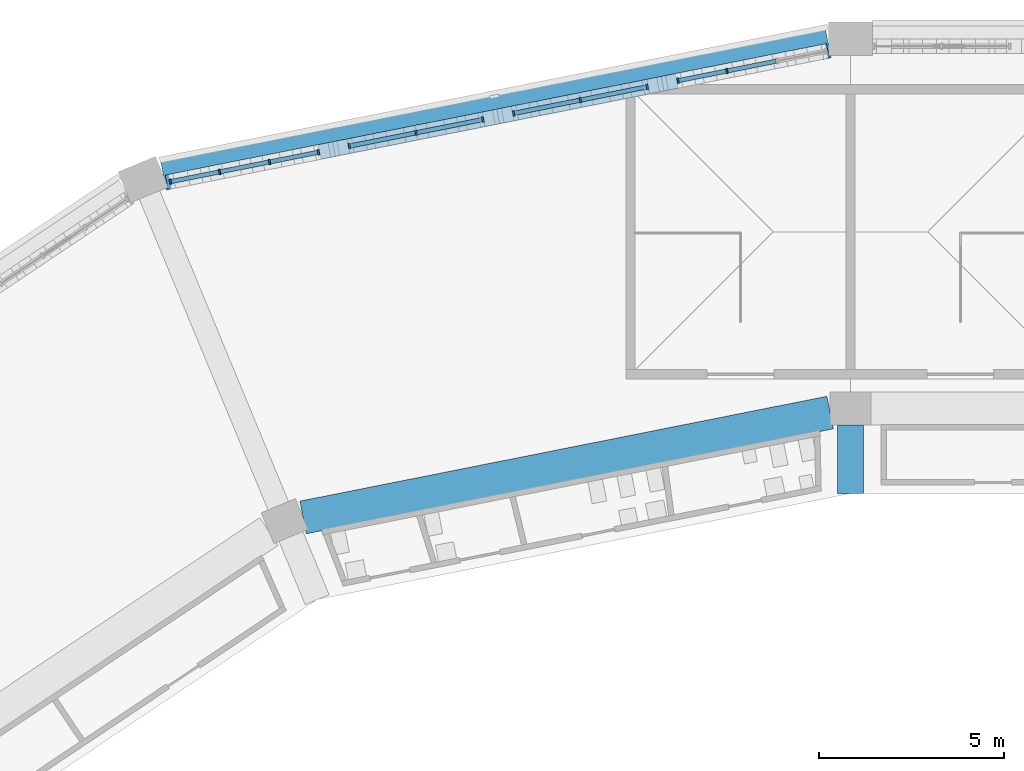
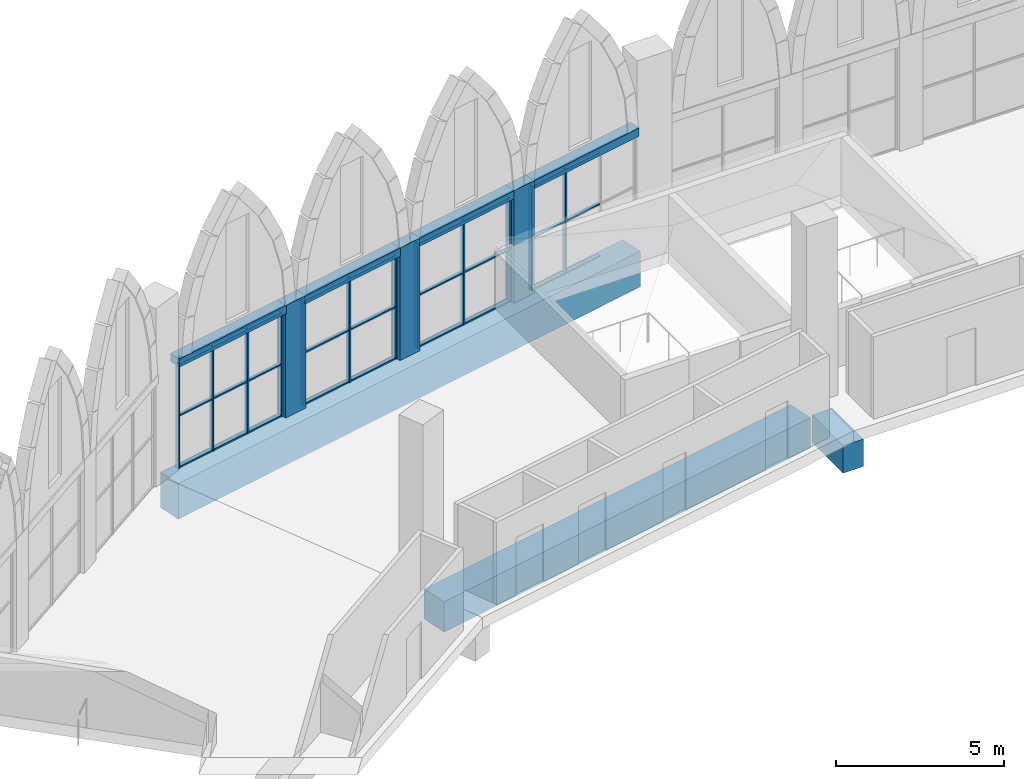
# One storey, part 34 of 130: 42 members, 7 beams, 4 elements without a shape of their own.
"""IFC4 building model written with IfcOpenShell, lengths in metres."""

from ifc_helpers import new_model, si_unit, direction, frame, origin, origin_2d, place, context, subcontext, project, spatial, rectangle, extrude, material, material_profile, profile_set, type_object, element, aggregate, save


model = new_model("IFC4")

# Units and contexts
model_context = context("Model", 3, precision=1e-05, world=origin(), true_north=direction((0.0, 1.0)))
body_context = subcontext(model_context, "Body", "Model", "MODEL_VIEW")
ifc_project = project(units=[si_unit("LENGTHUNIT", "METRE"), si_unit("AREAUNIT", "SQUARE_METRE"), si_unit("VOLUMEUNIT", "CUBIC_METRE"), si_unit("PLANEANGLEUNIT", "RADIAN"), si_unit("MASSUNIT", "GRAM", prefix="KILO")], contexts=[model_context])

# Site, building, storey
site_placement = place(None, origin())
site = spatial("IfcSite", under=ifc_project, at=site_placement, CompositionType="ELEMENT")
building_placement = place(site_placement, origin())
building = spatial("IfcBuilding", under=site, at=building_placement, Name="Ogive Plaza Stadium", CompositionType="ELEMENT")
storey_placement = place(building_placement, frame((0.0, 0.0, 22.5)))
storey = spatial("IfcBuildingStorey", under=building, at=storey_placement, Name="L05", CompositionType="ELEMENT", Elevation=22.5)

# Curtain wall, members
ifc_material_1 = material(Name="Bronze-anodised aluminium with laminated glass", Category="aluminium")
curtain_wall_type = type_object("IfcCurtainWallType", Name="Lancet curtain wall", PredefinedType="NOTDEFINED", material=ifc_material_1)
curtain_wall_1_placement = place(storey_placement, origin())
curtain_wall_1 = element("IfcCurtainWall", 1, at=curtain_wall_1_placement, inside=storey, type_object=curtain_wall_type, Name="CURTAIN WALL B31 L05", PredefinedType="NOTDEFINED")
ifc_material_2 = material(Name="Bronze-anodised aluminium", Category="aluminium")
ifc_material_profile_1 = material_profile(ifc_material_2, rectangle(XDim=0.14990234375, YDim=0.050048828125, at=origin_2d()), Name="AL 150x50")
ifc_profile_set_1 = profile_set([ifc_material_profile_1], Name="Bronze-anodised aluminium")
member_type_1 = type_object("IfcMemberType", Name="Curtain wall mullion 50x150", PredefinedType="MULLION", material=ifc_profile_set_1)
member_1_placement = place(storey_placement, frame((-52.392578125, 98.637451171875, 0.0), z_axis=(0.0, 0.0, 1.0), x_axis=(-0.195090322016, 0.980785280403, 0.0)))
member_1 = element("IfcMember", 2, at=member_1_placement, type_object=member_type_1, Name="CW-B31-L05.1 mullion 1", PredefinedType="MULLION", context=body_context, shape_type="SweptSolid", body=[
    extrude(rectangle(XDim=0.14990234375, YDim=0.050048828125, at=origin_2d()), origin(), (0.0, 0.0, 1.0), 3.800048828125),
])
member_2_placement = place(storey_placement, frame((-51.06640625, 98.9013671875, 0.0), z_axis=(0.0, 0.0, 1.0), x_axis=(-0.195090322016, 0.980785280403, 0.0)))
member_2 = element("IfcMember", 3, at=member_2_placement, type_object=member_type_1, Name="CW-B31-L05.1 mullion 2", PredefinedType="MULLION", context=body_context, shape_type="SweptSolid", body=[
    extrude(rectangle(XDim=0.14990234375, YDim=0.050048828125, at=origin_2d()), origin(), (0.0, 0.0, 1.0), 3.800048828125),
])
member_3_placement = place(storey_placement, frame((-49.715576171875, 99.170166015625, 0.0), z_axis=(0.0, 0.0, 1.0), x_axis=(-0.195090322016, 0.980785280403, 0.0)))
member_3 = element("IfcMember", 4, at=member_3_placement, type_object=member_type_1, Name="CW-B31-L05.1 mullion 3", PredefinedType="MULLION", context=body_context, shape_type="SweptSolid", body=[
    extrude(rectangle(XDim=0.14990234375, YDim=0.050048828125, at=origin_2d()), origin(), (0.0, 0.0, 1.0), 3.800048828125),
])
member_4_placement = place(storey_placement, frame((-48.389404296875, 99.433837890625, 0.0), z_axis=(0.0, 0.0, 1.0), x_axis=(-0.195090322016, 0.980785280403, 0.0)))
member_4 = element("IfcMember", 5, at=member_4_placement, type_object=member_type_1, Name="CW-B31-L05.1 mullion 4", PredefinedType="MULLION", context=body_context, shape_type="SweptSolid", body=[
    extrude(rectangle(XDim=0.14990234375, YDim=0.050048828125, at=origin_2d()), origin(), (0.0, 0.0, 1.0), 3.800048828125),
])

curtain_wall_2_placement = place(storey_placement, origin())
curtain_wall_2 = element("IfcCurtainWall", 6, at=curtain_wall_2_placement, inside=storey, type_object=curtain_wall_type, Name="CURTAIN WALL B31 L05", PredefinedType="NOTDEFINED")
member_5_placement = place(storey_placement, frame((-47.5556640625, 99.599609375, 0.0), z_axis=(0.0, 0.0, 1.0), x_axis=(-0.195090321948, 0.980785280417, 0.0)))
member_5 = element("IfcMember", 7, at=member_5_placement, type_object=member_type_1, Name="CW-B31-L05.2 mullion 1", PredefinedType="MULLION", context=body_context, shape_type="SweptSolid", body=[
    extrude(rectangle(XDim=0.14990234375, YDim=0.050048828125, at=origin_2d()), origin(), (0.0, 0.0, 1.0), 3.800048828125),
])
member_6_placement = place(storey_placement, frame((-45.750244140625, 99.958740234375, 0.0), z_axis=(0.0, 0.0, 1.0), x_axis=(-0.195090321948, 0.980785280417, 0.0)))
member_6 = element("IfcMember", 8, at=member_6_placement, type_object=member_type_1, Name="CW-B31-L05.2 mullion 2", PredefinedType="MULLION", context=body_context, shape_type="SweptSolid", body=[
    extrude(rectangle(XDim=0.14990234375, YDim=0.050048828125, at=origin_2d()), origin(), (0.0, 0.0, 1.0), 3.800048828125),
])
member_7_placement = place(storey_placement, frame((-43.94482421875, 100.31787109375, 0.0), z_axis=(0.0, 0.0, 1.0), x_axis=(-0.195090321948, 0.980785280417, 0.0)))
member_7 = element("IfcMember", 9, at=member_7_placement, type_object=member_type_1, Name="CW-B31-L05.2 mullion 3", PredefinedType="MULLION", context=body_context, shape_type="SweptSolid", body=[
    extrude(rectangle(XDim=0.14990234375, YDim=0.050048828125, at=origin_2d()), origin(), (0.0, 0.0, 1.0), 3.800048828125),
])

curtain_wall_3_placement = place(storey_placement, origin())
curtain_wall_3 = element("IfcCurtainWall", 10, at=curtain_wall_3_placement, inside=storey, type_object=curtain_wall_type, Name="CURTAIN WALL B31 L05", PredefinedType="NOTDEFINED")
member_8_placement = place(storey_placement, frame((-43.111328125, 100.483642578125, 0.0), z_axis=(0.0, 0.0, 1.0), x_axis=(-0.195090321948, 0.980785280417, 0.0)))
member_8 = element("IfcMember", 11, at=member_8_placement, type_object=member_type_1, Name="CW-B31-L05.3 mullion 1", PredefinedType="MULLION", context=body_context, shape_type="SweptSolid", body=[
    extrude(rectangle(XDim=0.14990234375, YDim=0.050048828125, at=origin_2d()), origin(), (0.0, 0.0, 1.0), 3.800048828125),
])
member_9_placement = place(storey_placement, frame((-41.305908203125, 100.8427734375, 0.0), z_axis=(0.0, 0.0, 1.0), x_axis=(-0.195090321948, 0.980785280417, 0.0)))
member_9 = element("IfcMember", 12, at=member_9_placement, type_object=member_type_1, Name="CW-B31-L05.3 mullion 2", PredefinedType="MULLION", context=body_context, shape_type="SweptSolid", body=[
    extrude(rectangle(XDim=0.14990234375, YDim=0.050048828125, at=origin_2d()), origin(), (0.0, 0.0, 1.0), 3.800048828125),
])
member_10_placement = place(storey_placement, frame((-39.50048828125, 101.201904296875, 0.0), z_axis=(0.0, 0.0, 1.0), x_axis=(-0.195090321948, 0.980785280417, 0.0)))
member_10 = element("IfcMember", 13, at=member_10_placement, type_object=member_type_1, Name="CW-B31-L05.3 mullion 3", PredefinedType="MULLION", context=body_context, shape_type="SweptSolid", body=[
    extrude(rectangle(XDim=0.14990234375, YDim=0.050048828125, at=origin_2d()), origin(), (0.0, 0.0, 1.0), 3.800048828125),
])

curtain_wall_4_placement = place(storey_placement, origin())
curtain_wall_4 = element("IfcCurtainWall", 14, at=curtain_wall_4_placement, inside=storey, type_object=curtain_wall_type, Name="CURTAIN WALL B31 L05", PredefinedType="NOTDEFINED")
member_11_placement = place(storey_placement, frame((-38.666748046875, 101.367919921875, 0.0), z_axis=(0.0, 0.0, 1.0), x_axis=(-0.195090322016, 0.980785280403, 0.0)))
member_11 = element("IfcMember", 15, at=member_11_placement, type_object=member_type_1, Name="CW-B31-L05.4 mullion 1", PredefinedType="MULLION", context=body_context, shape_type="SweptSolid", body=[
    extrude(rectangle(XDim=0.14990234375, YDim=0.050048828125, at=origin_2d()), origin(), (0.0, 0.0, 1.0), 3.800048828125),
])
member_12_placement = place(storey_placement, frame((-37.340576171875, 101.631591796875, 0.0), z_axis=(0.0, 0.0, 1.0), x_axis=(-0.195090322016, 0.980785280403, 0.0)))
member_12 = element("IfcMember", 16, at=member_12_placement, type_object=member_type_1, Name="CW-B31-L05.4 mullion 2", PredefinedType="MULLION", context=body_context, shape_type="SweptSolid", body=[
    extrude(rectangle(XDim=0.14990234375, YDim=0.050048828125, at=origin_2d()), origin(), (0.0, 0.0, 1.0), 3.800048828125),
])

# Member
ifc_material_3 = material(Name="Bronze-anodised aluminium", Category="aluminium")
ifc_material_profile_2 = material_profile(ifc_material_3, rectangle(XDim=0.1201171875, YDim=0.050048828125, at=origin_2d()), Name="AL 120x50")
ifc_profile_set_2 = profile_set([ifc_material_profile_2], Name="Bronze-anodised aluminium")
member_type_2 = type_object("IfcMemberType", Name="Curtain wall transom 50x120", PredefinedType="USERDEFINED", material=ifc_profile_set_2)
member_13_placement = place(storey_placement, frame((-52.3681640625, 98.642333984375, 0.02490234375), z_axis=(0.980774859472, 0.195142704264, 0.0), x_axis=(-0.195142704264, 0.980774859472, 0.0)))
member_13 = element("IfcMember", 17, at=member_13_placement, type_object=member_type_2, Name="CW-B31-L05.1 transom 1.1", ObjectType="TRANSOM", PredefinedType="USERDEFINED", context=body_context, shape_type="SweptSolid", body=[
    extrude(rectangle(XDim=0.1201171875, YDim=0.050048828125, at=origin_2d()), origin(), (0.0, 0.0, 1.0), 1.302490234375),
])

member_14_placement = place(storey_placement, frame((-52.3681640625, 98.642333984375, 1.89990234375), z_axis=(0.980774859472, 0.195142704264, 0.0), x_axis=(-0.195142704264, 0.980774859472, 0.0)))
member_14 = element("IfcMember", 18, at=member_14_placement, type_object=member_type_2, Name="CW-B31-L05.1 transom 1.2", ObjectType="TRANSOM", PredefinedType="USERDEFINED", context=body_context, shape_type="SweptSolid", body=[
    extrude(rectangle(XDim=0.1201171875, YDim=0.050048828125, at=origin_2d()), origin(), (0.0, 0.0, 1.0), 1.302490234375),
])

member_15_placement = place(storey_placement, frame((-52.3681640625, 98.642333984375, 3.77490234375), z_axis=(0.980774859472, 0.195142704264, 0.0), x_axis=(-0.195142704264, 0.980774859472, 0.0)))
member_15 = element("IfcMember", 19, at=member_15_placement, type_object=member_type_2, Name="CW-B31-L05.1 transom 1.3", ObjectType="TRANSOM", PredefinedType="USERDEFINED", context=body_context, shape_type="SweptSolid", body=[
    extrude(rectangle(XDim=0.1201171875, YDim=0.050048828125, at=origin_2d()), origin(), (0.0, 0.0, 1.0), 1.302490234375),
])

member_16_placement = place(storey_placement, frame((-51.041748046875, 98.90625, 0.02490234375), z_axis=(0.980764218012, 0.19519617995, 0.0), x_axis=(-0.19519617995, 0.980764218012, 0.0)))
member_16 = element("IfcMember", 20, at=member_16_placement, type_object=member_type_2, Name="CW-B31-L05.1 transom 2.1", ObjectType="TRANSOM", PredefinedType="USERDEFINED", context=body_context, shape_type="SweptSolid", body=[
    extrude(rectangle(XDim=0.1201171875, YDim=0.050048828125, at=origin_2d()), origin(), (0.0, 0.0, 1.0), 1.3271484375),
])

member_17_placement = place(storey_placement, frame((-51.041748046875, 98.90625, 1.89990234375), z_axis=(0.980764218012, 0.19519617995, 0.0), x_axis=(-0.19519617995, 0.980764218012, 0.0)))
member_17 = element("IfcMember", 21, at=member_17_placement, type_object=member_type_2, Name="CW-B31-L05.1 transom 2.2", ObjectType="TRANSOM", PredefinedType="USERDEFINED", context=body_context, shape_type="SweptSolid", body=[
    extrude(rectangle(XDim=0.1201171875, YDim=0.050048828125, at=origin_2d()), origin(), (0.0, 0.0, 1.0), 1.3271484375),
])

member_18_placement = place(storey_placement, frame((-51.041748046875, 98.90625, 3.77490234375), z_axis=(0.980764218012, 0.19519617995, 0.0), x_axis=(-0.19519617995, 0.980764218012, 0.0)))
member_18 = element("IfcMember", 22, at=member_18_placement, type_object=member_type_2, Name="CW-B31-L05.1 transom 2.3", ObjectType="TRANSOM", PredefinedType="USERDEFINED", context=body_context, shape_type="SweptSolid", body=[
    extrude(rectangle(XDim=0.1201171875, YDim=0.050048828125, at=origin_2d()), origin(), (0.0, 0.0, 1.0), 1.3271484375),
])

member_19_placement = place(storey_placement, frame((-49.691162109375, 99.1748046875, 0.02490234375), z_axis=(0.980767719015, 0.195178588319, 0.0), x_axis=(-0.195178588319, 0.980767719015, 0.0)))
member_19 = element("IfcMember", 23, at=member_19_placement, type_object=member_type_2, Name="CW-B31-L05.1 transom 3.1", ObjectType="TRANSOM", PredefinedType="USERDEFINED", context=body_context, shape_type="SweptSolid", body=[
    extrude(rectangle(XDim=0.1201171875, YDim=0.050048828125, at=origin_2d()), origin(), (0.0, 0.0, 1.0), 1.30224609375),
])

member_20_placement = place(storey_placement, frame((-49.691162109375, 99.1748046875, 1.89990234375), z_axis=(0.980767719015, 0.195178588319, 0.0), x_axis=(-0.195178588319, 0.980767719015, 0.0)))
member_20 = element("IfcMember", 24, at=member_20_placement, type_object=member_type_2, Name="CW-B31-L05.1 transom 3.2", ObjectType="TRANSOM", PredefinedType="USERDEFINED", context=body_context, shape_type="SweptSolid", body=[
    extrude(rectangle(XDim=0.1201171875, YDim=0.050048828125, at=origin_2d()), origin(), (0.0, 0.0, 1.0), 1.30224609375),
])

member_21_placement = place(storey_placement, frame((-49.691162109375, 99.1748046875, 3.77490234375), z_axis=(0.980767719015, 0.195178588319, 0.0), x_axis=(-0.195178588319, 0.980767719015, 0.0)))
member_21 = element("IfcMember", 25, at=member_21_placement, type_object=member_type_2, Name="CW-B31-L05.1 transom 3.3", ObjectType="TRANSOM", PredefinedType="USERDEFINED", context=body_context, shape_type="SweptSolid", body=[
    extrude(rectangle(XDim=0.1201171875, YDim=0.050048828125, at=origin_2d()), origin(), (0.0, 0.0, 1.0), 1.30224609375),
])

aggregate(curtain_wall_1, [member_1, member_2, member_3, member_4, member_13, member_14, member_15, member_16, member_17, member_18, member_19, member_20, member_21])

member_22_placement = place(storey_placement, frame((-47.53125, 99.6044921875, 0.02490234375), z_axis=(0.980784643133, 0.195093525761, 0.0), x_axis=(-0.195093525761, 0.980784643133, 0.0)))
member_22 = element("IfcMember", 26, at=member_22_placement, type_object=member_type_2, Name="CW-B31-L05.2 transom 1.1", ObjectType="TRANSOM", PredefinedType="USERDEFINED", context=body_context, shape_type="SweptSolid", body=[
    extrude(rectangle(XDim=0.1201171875, YDim=0.050048828125, at=origin_2d()), origin(), (0.0, 0.0, 1.0), 1.790771484375),
])

member_23_placement = place(storey_placement, frame((-47.53125, 99.6044921875, 1.89990234375), z_axis=(0.980784643133, 0.195093525761, 0.0), x_axis=(-0.195093525761, 0.980784643133, 0.0)))
member_23 = element("IfcMember", 27, at=member_23_placement, type_object=member_type_2, Name="CW-B31-L05.2 transom 1.2", ObjectType="TRANSOM", PredefinedType="USERDEFINED", context=body_context, shape_type="SweptSolid", body=[
    extrude(rectangle(XDim=0.1201171875, YDim=0.050048828125, at=origin_2d()), origin(), (0.0, 0.0, 1.0), 1.790771484375),
])

member_24_placement = place(storey_placement, frame((-47.53125, 99.6044921875, 3.77490234375), z_axis=(0.980784643133, 0.195093525761, 0.0), x_axis=(-0.195093525761, 0.980784643133, 0.0)))
member_24 = element("IfcMember", 28, at=member_24_placement, type_object=member_type_2, Name="CW-B31-L05.2 transom 1.3", ObjectType="TRANSOM", PredefinedType="USERDEFINED", context=body_context, shape_type="SweptSolid", body=[
    extrude(rectangle(XDim=0.1201171875, YDim=0.050048828125, at=origin_2d()), origin(), (0.0, 0.0, 1.0), 1.790771484375),
])

member_25_placement = place(storey_placement, frame((-45.725830078125, 99.963623046875, 0.02490234375), z_axis=(0.980784643133, 0.195093525761, 0.0), x_axis=(-0.195093525761, 0.980784643133, 0.0)))
member_25 = element("IfcMember", 29, at=member_25_placement, type_object=member_type_2, Name="CW-B31-L05.2 transom 2.1", ObjectType="TRANSOM", PredefinedType="USERDEFINED", context=body_context, shape_type="SweptSolid", body=[
    extrude(rectangle(XDim=0.1201171875, YDim=0.050048828125, at=origin_2d()), origin(), (0.0, 0.0, 1.0), 1.790771484375),
])

member_26_placement = place(storey_placement, frame((-45.725830078125, 99.963623046875, 1.89990234375), z_axis=(0.980784643133, 0.195093525761, 0.0), x_axis=(-0.195093525761, 0.980784643133, 0.0)))
member_26 = element("IfcMember", 30, at=member_26_placement, type_object=member_type_2, Name="CW-B31-L05.2 transom 2.2", ObjectType="TRANSOM", PredefinedType="USERDEFINED", context=body_context, shape_type="SweptSolid", body=[
    extrude(rectangle(XDim=0.1201171875, YDim=0.050048828125, at=origin_2d()), origin(), (0.0, 0.0, 1.0), 1.790771484375),
])

member_27_placement = place(storey_placement, frame((-45.725830078125, 99.963623046875, 3.77490234375), z_axis=(0.980784643133, 0.195093525761, 0.0), x_axis=(-0.195093525761, 0.980784643133, 0.0)))
member_27 = element("IfcMember", 31, at=member_27_placement, type_object=member_type_2, Name="CW-B31-L05.2 transom 2.3", ObjectType="TRANSOM", PredefinedType="USERDEFINED", context=body_context, shape_type="SweptSolid", body=[
    extrude(rectangle(XDim=0.1201171875, YDim=0.050048828125, at=origin_2d()), origin(), (0.0, 0.0, 1.0), 1.790771484375),
])

aggregate(curtain_wall_2, [member_5, member_6, member_7, member_22, member_23, member_24, member_25, member_26, member_27])

member_28_placement = place(storey_placement, frame((-43.086669921875, 100.488525390625, 0.02490234375), z_axis=(0.980784643133, 0.195093525761, 0.0), x_axis=(-0.195093525761, 0.980784643133, 0.0)))
member_28 = element("IfcMember", 32, at=member_28_placement, type_object=member_type_2, Name="CW-B31-L05.3 transom 1.1", ObjectType="TRANSOM", PredefinedType="USERDEFINED", context=body_context, shape_type="SweptSolid", body=[
    extrude(rectangle(XDim=0.1201171875, YDim=0.050048828125, at=origin_2d()), origin(), (0.0, 0.0, 1.0), 1.790771484375),
])

member_29_placement = place(storey_placement, frame((-43.086669921875, 100.488525390625, 1.89990234375), z_axis=(0.980784643133, 0.195093525761, 0.0), x_axis=(-0.195093525761, 0.980784643133, 0.0)))
member_29 = element("IfcMember", 33, at=member_29_placement, type_object=member_type_2, Name="CW-B31-L05.3 transom 1.2", ObjectType="TRANSOM", PredefinedType="USERDEFINED", context=body_context, shape_type="SweptSolid", body=[
    extrude(rectangle(XDim=0.1201171875, YDim=0.050048828125, at=origin_2d()), origin(), (0.0, 0.0, 1.0), 1.790771484375),
])

member_30_placement = place(storey_placement, frame((-43.086669921875, 100.488525390625, 3.77490234375), z_axis=(0.980784643133, 0.195093525761, 0.0), x_axis=(-0.195093525761, 0.980784643133, 0.0)))
member_30 = element("IfcMember", 34, at=member_30_placement, type_object=member_type_2, Name="CW-B31-L05.3 transom 1.3", ObjectType="TRANSOM", PredefinedType="USERDEFINED", context=body_context, shape_type="SweptSolid", body=[
    extrude(rectangle(XDim=0.1201171875, YDim=0.050048828125, at=origin_2d()), origin(), (0.0, 0.0, 1.0), 1.790771484375),
])

member_31_placement = place(storey_placement, frame((-41.28125, 100.84765625, 0.02490234375), z_axis=(0.980784643133, 0.195093525761, 0.0), x_axis=(-0.195093525761, 0.980784643133, 0.0)))
member_31 = element("IfcMember", 35, at=member_31_placement, type_object=member_type_2, Name="CW-B31-L05.3 transom 2.1", ObjectType="TRANSOM", PredefinedType="USERDEFINED", context=body_context, shape_type="SweptSolid", body=[
    extrude(rectangle(XDim=0.1201171875, YDim=0.050048828125, at=origin_2d()), origin(), (0.0, 0.0, 1.0), 1.790771484375),
])

member_32_placement = place(storey_placement, frame((-41.28125, 100.84765625, 1.89990234375), z_axis=(0.980784643133, 0.195093525761, 0.0), x_axis=(-0.195093525761, 0.980784643133, 0.0)))
member_32 = element("IfcMember", 36, at=member_32_placement, type_object=member_type_2, Name="CW-B31-L05.3 transom 2.2", ObjectType="TRANSOM", PredefinedType="USERDEFINED", context=body_context, shape_type="SweptSolid", body=[
    extrude(rectangle(XDim=0.1201171875, YDim=0.050048828125, at=origin_2d()), origin(), (0.0, 0.0, 1.0), 1.790771484375),
])

member_33_placement = place(storey_placement, frame((-41.28125, 100.84765625, 3.77490234375), z_axis=(0.980784643133, 0.195093525761, 0.0), x_axis=(-0.195093525761, 0.980784643133, 0.0)))
member_33 = element("IfcMember", 37, at=member_33_placement, type_object=member_type_2, Name="CW-B31-L05.3 transom 2.3", ObjectType="TRANSOM", PredefinedType="USERDEFINED", context=body_context, shape_type="SweptSolid", body=[
    extrude(rectangle(XDim=0.1201171875, YDim=0.050048828125, at=origin_2d()), origin(), (0.0, 0.0, 1.0), 1.790771484375),
])

aggregate(curtain_wall_3, [member_8, member_9, member_10, member_28, member_29, member_30, member_31, member_32, member_33])

member_34_placement = place(storey_placement, frame((-38.64208984375, 101.372802734375, 0.02490234375), z_axis=(0.980803594267, 0.194998229409, 0.0), x_axis=(-0.194998229409, 0.980803594267, 0.0)))
member_34 = element("IfcMember", 38, at=member_34_placement, type_object=member_type_2, Name="CW-B31-L05.4 transom 1.1", ObjectType="TRANSOM", PredefinedType="USERDEFINED", context=body_context, shape_type="SweptSolid", body=[
    extrude(rectangle(XDim=0.1201171875, YDim=0.050048828125, at=origin_2d()), origin(), (0.0, 0.0, 1.0), 1.302001953125),
])

member_35_placement = place(storey_placement, frame((-38.64208984375, 101.372802734375, 1.89990234375), z_axis=(0.980803594267, 0.194998229409, 0.0), x_axis=(-0.194998229409, 0.980803594267, 0.0)))
member_35 = element("IfcMember", 39, at=member_35_placement, type_object=member_type_2, Name="CW-B31-L05.4 transom 1.2", ObjectType="TRANSOM", PredefinedType="USERDEFINED", context=body_context, shape_type="SweptSolid", body=[
    extrude(rectangle(XDim=0.1201171875, YDim=0.050048828125, at=origin_2d()), origin(), (0.0, 0.0, 1.0), 1.302001953125),
])

member_36_placement = place(storey_placement, frame((-38.64208984375, 101.372802734375, 3.77490234375), z_axis=(0.980803594267, 0.194998229409, 0.0), x_axis=(-0.194998229409, 0.980803594267, 0.0)))
member_36 = element("IfcMember", 40, at=member_36_placement, type_object=member_type_2, Name="CW-B31-L05.4 transom 1.3", ObjectType="TRANSOM", PredefinedType="USERDEFINED", context=body_context, shape_type="SweptSolid", body=[
    extrude(rectangle(XDim=0.1201171875, YDim=0.050048828125, at=origin_2d()), origin(), (0.0, 0.0, 1.0), 1.302001953125),
])

member_37_placement = place(storey_placement, frame((-37.31591796875, 101.636474609375, 0.02490234375), z_axis=(0.980771225801, 0.195160965974, 0.0), x_axis=(-0.195160965974, 0.980771225801, 0.0)))
member_37 = element("IfcMember", 41, at=member_37_placement, type_object=member_type_2, Name="CW-B31-L05.4 transom 2.1", ObjectType="TRANSOM", PredefinedType="USERDEFINED", context=body_context, shape_type="SweptSolid", body=[
    extrude(rectangle(XDim=0.1201171875, YDim=0.050048828125, at=origin_2d()), origin(), (0.0, 0.0, 1.0), 1.327392578125),
])

member_38_placement = place(storey_placement, frame((-37.31591796875, 101.636474609375, 1.89990234375), z_axis=(0.980771225801, 0.195160965974, 0.0), x_axis=(-0.195160965974, 0.980771225801, 0.0)))
member_38 = element("IfcMember", 42, at=member_38_placement, type_object=member_type_2, Name="CW-B31-L05.4 transom 2.2", ObjectType="TRANSOM", PredefinedType="USERDEFINED", context=body_context, shape_type="SweptSolid", body=[
    extrude(rectangle(XDim=0.1201171875, YDim=0.050048828125, at=origin_2d()), origin(), (0.0, 0.0, 1.0), 1.327392578125),
])

member_39_placement = place(storey_placement, frame((-37.31591796875, 101.636474609375, 3.77490234375), z_axis=(0.980771225801, 0.195160965974, 0.0), x_axis=(-0.195160965974, 0.980771225801, 0.0)))
member_39 = element("IfcMember", 43, at=member_39_placement, type_object=member_type_2, Name="CW-B31-L05.4 transom 2.3", ObjectType="TRANSOM", PredefinedType="USERDEFINED", context=body_context, shape_type="SweptSolid", body=[
    extrude(rectangle(XDim=0.1201171875, YDim=0.050048828125, at=origin_2d()), origin(), (0.0, 0.0, 1.0), 1.327392578125),
])

aggregate(curtain_wall_4, [member_11, member_12, member_34, member_35, member_36, member_37, member_38, member_39])

# Members
ifc_material_4 = material(Name="Concrete C45/55 precast", Category="concrete")
ifc_material_profile_3 = material_profile(ifc_material_4, rectangle(XDim=0.39990234375, YDim=0.800048828125, at=origin_2d()), Name="RC 400x800")
ifc_profile_set_3 = profile_set([ifc_material_profile_3], Name="Concrete C45/55 precast")
member_type_3 = type_object("IfcMemberType", Name="Precast colonette 800x400", PredefinedType="POST", material=ifc_profile_set_3)
for number, where, z_axis, x_axis, name in (
    (44, (-47.97265625, 99.516845703125, 0.0), (0.0, 0.0, 1.0), (-0.195090322016, 0.980785280403, 0.0), "COLONETTE B31 1"),
    (45, (-43.528076171875, 100.40087890625, 0.0), (0.0, 0.0, 1.0), (-0.195090322016, 0.980785280403, 0.0), "COLONETTE B31 2"),
    (46, (-39.08349609375, 101.284912109375, 0.0), (0.0, 0.0, 1.0), (-0.195090322016, 0.980785280403, 0.0), "COLONETTE B31 3"),
):
    element("IfcMember", number, at=place(storey_placement, frame(where, z_axis=z_axis, x_axis=x_axis)), inside=storey, type_object=member_type_3, Name=name, PredefinedType="POST", context=body_context, shape_type="SweptSolid", body=[
        extrude(rectangle(XDim=0.39990234375, YDim=0.800048828125, at=origin_2d()), origin(), (0.0, 0.0, 1.0), 4.10009765625),
    ])

# Beams
ifc_material_5 = material(Name="Concrete C45/55 precast", Category="concrete")
ifc_material_profile_4 = material_profile(ifc_material_5, rectangle(XDim=0.39990234375, YDim=0.300048828125, at=origin_2d()), Name="RC 400x300")
ifc_profile_set_4 = profile_set([ifc_material_profile_4], Name="Concrete C45/55 precast")
beam_type_1 = type_object("IfcBeamType", Name="Precast tympanum lintel 400x300", PredefinedType="BEAM", material=ifc_profile_set_4)
beam_1_placement = place(storey_placement, frame((-52.49658203125, 98.616943359375, 3.949951171875), z_axis=(0.980788169379, 0.195075797594, 0.0), x_axis=(-0.195075797594, 0.980788169379, 0.0)))
element("IfcBeam", 47, at=beam_1_placement, inside=storey, type_object=beam_type_1, Name="TYMPANUM LINTEL B31 1", PredefinedType="BEAM", context=body_context, shape_type="SweptSolid", body=[
    extrude(rectangle(XDim=0.39990234375, YDim=0.300048828125, at=origin_2d()), origin(), (0.0, 0.0, 1.0), 4.24267578125),
])
for number, where, z_axis, x_axis, name in (
    (48, (-47.609619140625, 99.5888671875, 3.949951171875), (0.980783225054, 0.195100654669, 0.0), (-0.195100654669, 0.980783225054, 0.0), "TYMPANUM LINTEL B31 2"),
    (49, (-43.165283203125, 100.472900390625, 3.949951171875), (0.980783225054, 0.195100654669, 0.0), (-0.195100654669, 0.980783225054, 0.0), "TYMPANUM LINTEL B31 3"),
):
    element("IfcBeam", number, at=place(storey_placement, frame(where, z_axis=z_axis, x_axis=x_axis)), inside=storey, type_object=beam_type_1, Name=name, PredefinedType="BEAM", context=body_context, shape_type="SweptSolid", body=[
        extrude(rectangle(XDim=0.39990234375, YDim=0.300048828125, at=origin_2d()), origin(), (0.0, 0.0, 1.0), 3.79150390625),
    ])
beam_2_placement = place(storey_placement, frame((-38.720703125, 101.357177734375, 3.949951171875), z_axis=(0.980790689171, 0.195063128335, 0.0), x_axis=(-0.195063128335, 0.980790689171, 0.0)))
element("IfcBeam", 50, at=beam_2_placement, inside=storey, type_object=beam_type_1, Name="TYMPANUM LINTEL B31 4", PredefinedType="BEAM", context=body_context, shape_type="SweptSolid", body=[
    extrude(rectangle(XDim=0.39990234375, YDim=0.300048828125, at=origin_2d()), origin(), (0.0, 0.0, 1.0), 4.191650390625),
])
ifc_material_6 = material(Name="Concrete C40/50", Category="concrete")
ifc_material_profile_5 = material_profile(ifc_material_6, rectangle(XDim=0.699951171875, YDim=1.0, at=origin_2d()), Name="RC 700x1000")
ifc_profile_set_5 = profile_set([ifc_material_profile_5], Name="Concrete C40/50")
beam_type_2 = type_object("IfcBeamType", Name="RC radial beam 700x1000", PredefinedType="BEAM", material=ifc_profile_set_5)
beam_3_placement = place(storey_placement, frame((-34.0, 90.199951171875, -0.909912109375), z_axis=(0.0, 1.0, 0.0), x_axis=(-1.0, 0.0, 0.0)))
element("IfcBeam", 51, at=beam_3_placement, inside=storey, type_object=beam_type_2, Name="Raker tail beam UT R32", PredefinedType="BEAM", context=body_context, shape_type="SweptSolid", body=[
    extrude(rectangle(XDim=0.699951171875, YDim=1.0, at=origin_2d()), origin(), (0.0, 0.0, 1.0), 1.85009765625),
])
ifc_material_7 = material(Name="Concrete C40/50", Category="concrete")
ifc_material_profile_6 = material_profile(ifc_material_7, rectangle(XDim=0.89990234375, YDim=1.10009765625, at=origin_2d()), Name="RC 900x1100")
ifc_profile_set_6 = profile_set([ifc_material_profile_6], Name="Concrete C40/50")
beam_type_3 = type_object("IfcBeamType", Name="RC ring beam 900x1100", PredefinedType="BEAM", material=ifc_profile_set_6)
beam_4_placement = place(storey_placement, frame((-48.807373046875, 89.5546875, -0.9599609375), z_axis=(0.980785551724, 0.195088957992, 0.0), x_axis=(-0.195088957992, 0.980785551724, 0.0)))
element("IfcBeam", 52, at=beam_4_placement, inside=storey, type_object=beam_type_3, Name="Ring beam F4 L05 B31", PredefinedType="BEAM", context=body_context, shape_type="SweptSolid", body=[
    extrude(rectangle(XDim=0.89990234375, YDim=1.10009765625, at=origin_2d()), origin(), (0.0, 0.0, 1.0), 14.53662109375),
])
ifc_material_8 = material(Name="Concrete C40/50", Category="concrete")
ifc_material_profile_7 = material_profile(ifc_material_8, rectangle(XDim=0.800048828125, YDim=1.300048828125, at=origin_2d()), Name="RC 800x1300")
ifc_profile_set_7 = profile_set([ifc_material_profile_7], Name="Concrete C40/50")
beam_type_4 = type_object("IfcBeamType", Name="RC spandrel beam 800x1300", PredefinedType="SPANDREL", material=ifc_profile_set_7)
beam_5_placement = place(storey_placement, frame((-52.584228515625, 98.803466796875, -1.06005859375), z_axis=(0.980786507619, 0.195084152283, 0.0), x_axis=(-0.195084152283, 0.980786507619, 0.0)))
element("IfcBeam", 53, at=beam_5_placement, inside=storey, type_object=beam_type_4, Name="Ring beam F5 L05 B31", PredefinedType="SPANDREL", context=body_context, shape_type="SweptSolid", body=[
    extrude(rectangle(XDim=0.800048828125, YDim=1.300048828125, at=origin_2d()), origin(), (0.0, 0.0, 1.0), 18.33642578125),
])

save(model, "model.ifc")
